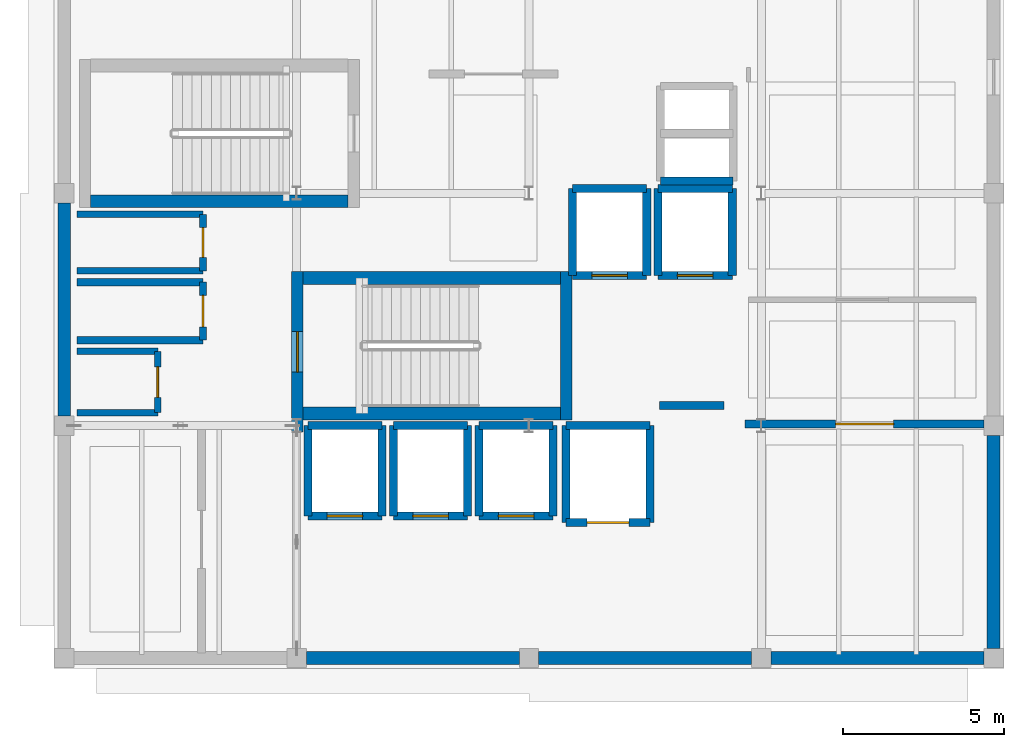
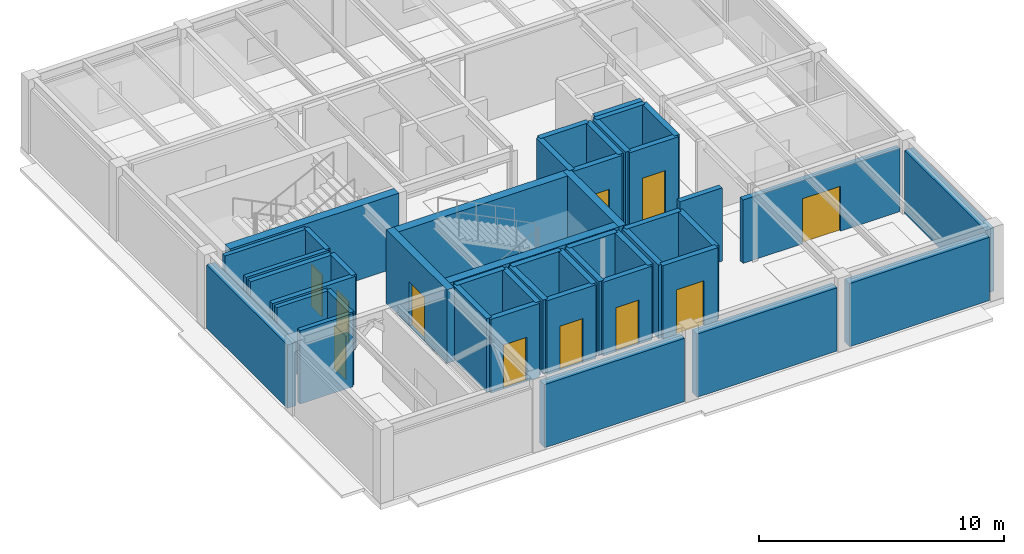
# One storey, part 4 of 8: 46 walls, 11 doors, 11 openings.
"""IFC4 building model written with IfcOpenShell, lengths in metres."""

from ifc_helpers import new_model, si_unit, direction, frame, frame_2d, origin, place, context, subcontext, project, spatial, rectangle, extrude, material, layer, layer_set, type_object, element, fill, save


model = new_model("IFC4")

# Units and contexts
model_context = context("Model", 3, precision=1e-05, world=origin(), true_north=direction((0.0, 1.0)))
body_context = subcontext(model_context, "Body", "Model", "MODEL_VIEW")
ifc_project = project(units=[si_unit("LENGTHUNIT", "METRE"), si_unit("AREAUNIT", "SQUARE_METRE"), si_unit("VOLUMEUNIT", "CUBIC_METRE"), si_unit("PLANEANGLEUNIT", "RADIAN"), si_unit("MASSUNIT", "GRAM", prefix="KILO")], contexts=[model_context])

# Site, building, storey
site_placement = place(None, origin())
site = spatial("IfcSite", under=ifc_project, at=site_placement, CompositionType="ELEMENT")
building_placement = place(site_placement, origin())
building = spatial("IfcBuilding", under=site, at=building_placement, Name="Kandorven Conservatory and Botanical Research Centre", CompositionType="ELEMENT")
storey_placement = place(building_placement, frame((0.0, 0.0, 40.5)))
storey = spatial("IfcBuildingStorey", under=building, at=storey_placement, Name="L10", CompositionType="ELEMENT", Elevation=40.5)

# Walls
ifc_material_1 = material(Name="Concrete C40/50 (M50)", Category="concrete")
ifc_layer_1 = layer(ifc_material_1, 0.39990234375)
ifc_layer_set_1 = layer_set([ifc_layer_1], Name="Concrete C40/50 (M50)")
wall_type_1 = type_object("IfcWallType", Name="Wall_CW-RC-1", PredefinedType="SHEAR", material=ifc_layer_set_1)
for number, where, z_axis, x_axis, name in (
    (1, (13.39990234375, 13.574951171875, 0.0), (0.0, 0.0, 1.0), (1.0, 0.0, 0.0), "Core stair shear wall CW-RC-1 ST-T1 L10 side A"),
    (2, (13.39990234375, 17.77490234375, 0.0), (0.0, 0.0, 1.0), (1.0, 0.0, 0.0), "Core stair shear wall CW-RC-1 ST-T1 L10 side B"),
    (3, (14.800048828125, 20.155029296875, 0.0), (0.0, 0.0, 1.0), (-1.0, 0.0, 0.0), "Core stair shear wall CW-RC-1 ST-T2 L10 side B"),
):
    element("IfcWall", number, at=place(storey_placement, frame(where, z_axis=z_axis, x_axis=x_axis)), inside=storey, type_object=wall_type_1, Name=name, PredefinedType="SHEAR", context=body_context, shape_type="SweptSolid", body=[
        extrude(rectangle(XDim=7.97998046875, YDim=0.39990234375, at=frame_2d((3.989990234375, 0.0))), origin(), (0.0, 0.0, 1.0), 3.679931640625),
    ])

# Wall, opening, door
ifc_material_2 = material(Name="Concrete C40/50 (M50)", Category="concrete")
ifc_layer_2 = layer(ifc_material_2, 0.35009765625)
ifc_layer_set_2 = layer_set([ifc_layer_2], Name="Concrete C40/50 (M50)")
wall_type_2 = type_object("IfcWallType", Name="Wall_CW-RC-2", PredefinedType="SHEAR", material=ifc_layer_set_2)
wall_1_placement = place(storey_placement, frame((13.22509765625, 13.0, 0.0), z_axis=(0.0, 0.0, 1.0), x_axis=(0.0, 1.0, 0.0)))
wall_1 = element("IfcWall", 4, at=wall_1_placement, inside=storey, type_object=wall_type_2, Name="Core stair shear wall CW-RC-2 ST-T1 L10 entry", PredefinedType="SHEAR", context=body_context, shape_type="SweptSolid", body=[
    extrude(rectangle(XDim=4.969970703125, YDim=0.35009765625, at=frame_2d((2.48486328125, 0.0))), origin(), (0.0, 0.0, 1.0), 3.679931640625),
])
opening_1_placement = place(wall_1_placement, frame((1.860107421875, 0.0, 0.0)))
opening_1 = element("IfcOpeningElement", 5, at=opening_1_placement, cuts=wall_1, Name="Opening FD-1", PredefinedType="OPENING", context=body_context, shape_type="SweptSolid", body=[
    extrude(rectangle(XDim=1.25, YDim=2.199951171875, at=frame_2d((0.625, 1.10009765625))), frame((0.0, 0.18505859375, 0.0), z_axis=(0.0, -1.0, 0.0), x_axis=(1.0, 0.0, 0.0)), (0.0, 0.0, 1.0), 0.3701171875),
])
ifc_material_3 = material(Name="Galvanised hollow steel fire door assembly", Category="steel")
door_type_1 = type_object("IfcDoorType", Name="Door_FD-1", OperationType="NOTDEFINED", PredefinedType="DOOR", material=ifc_material_3)
door_1_placement = place(opening_1_placement, origin())
door_1 = element("IfcDoor", 6, at=door_1_placement, inside=storey, type_object=door_type_1, Name="Exit stair fire door FD-1 ST-T1 L10", OperationType="SINGLE_SWING_LEFT", OverallHeight=2.199951171875, OverallWidth=1.25, PredefinedType="DOOR", context=body_context, shape_type="SweptSolid", body=[
    extrude(rectangle(XDim=1.25, YDim=2.199951171875, at=frame_2d((0.625, 1.10009765625))), frame((0.0, 0.02490234375, 0.0), z_axis=(0.0, -1.0, 0.0), x_axis=(1.0, 0.0, 0.0)), (0.0, 0.0, 1.0), 0.050048828125),
])
fill(opening_1, door_1)

# Wall
wall_2_placement = place(storey_placement, frame((21.554931640625, 13.3798828125, 0.0), z_axis=(0.0, 0.0, 1.0), x_axis=(0.0, 1.0, 0.0)))
element("IfcWall", 7, at=wall_2_placement, inside=storey, type_object=wall_type_2, Name="Core stair shear wall CW-RC-2 ST-T1 L10 far", PredefinedType="SHEAR", context=body_context, shape_type="SweptSolid", body=[
    extrude(rectangle(XDim=4.590087890625, YDim=0.35009765625, at=frame_2d((2.294921875, 0.0))), origin(), (0.0, 0.0, 1.0), 3.679931640625),
])

# Wall, opening, door
wall_3_placement = place(storey_placement, frame((21.75, 17.85009765625, 0.0), z_axis=(0.0, 0.0, 1.0), x_axis=(1.0, 0.0, 0.0)))
wall_3 = element("IfcWall", 8, at=wall_3_placement, inside=storey, type_object=wall_type_2, Name="Lift shaft wall FFL-1 L10 S", PredefinedType="SHEAR", context=body_context, shape_type="SweptSolid", body=[
    extrude(rectangle(XDim=2.300048828125, YDim=0.25, at=frame_2d((1.14990234375, 0.0))), origin(), (0.0, 0.0, 1.0), 3.679931640625),
])
opening_2_placement = place(wall_3_placement, frame((0.60009765625, 0.0, 0.0)))
opening_2 = element("IfcOpeningElement", 9, at=opening_2_placement, cuts=wall_3, Name="Opening LD-01", PredefinedType="OPENING", context=body_context, shape_type="SweptSolid", body=[
    extrude(rectangle(XDim=1.10009765625, YDim=2.199951171875, at=frame_2d((0.550048828125, 1.10009765625))), frame((0.0, 0.135009765625, 0.0), z_axis=(0.0, -1.0, 0.0), x_axis=(1.0, 0.0, 0.0)), (0.0, 0.0, 1.0), 0.27001953125),
])
ifc_material_4 = material(Name="Anodised aluminium sliding landing door", Category="aluminium")
door_type_2 = type_object("IfcDoorType", Name="Door_LD-01", OperationType="DOUBLE_DOOR_SLIDING", PredefinedType="DOOR", material=ifc_material_4)
door_2_placement = place(opening_2_placement, origin())
door_2 = element("IfcDoor", 10, at=door_2_placement, inside=storey, type_object=door_type_2, Name="Lift landing sliding door LD-01 (FFL-1 L10)", OperationType="DOUBLE_DOOR_SLIDING", OverallHeight=2.199951171875, OverallWidth=1.10009765625, PredefinedType="DOOR", context=body_context, shape_type="SweptSolid", body=[
    extrude(rectangle(XDim=1.10009765625, YDim=2.199951171875, at=frame_2d((0.550048828125, 1.10009765625))), frame((0.0, 0.02490234375, 0.0), z_axis=(0.0, -1.0, 0.0), x_axis=(1.0, 0.0, 0.0)), (0.0, 0.0, 1.0), 0.050048828125),
])
fill(opening_2, door_2)

# Walls
wall_4_placement = place(storey_placement, frame((21.75, 20.550048828125, 0.0), z_axis=(0.0, 0.0, 1.0), x_axis=(1.0, 0.0, 0.0)))
element("IfcWall", 11, at=wall_4_placement, inside=storey, type_object=wall_type_2, Name="Lift shaft wall FFL-1 L10 N", PredefinedType="SHEAR", context=body_context, shape_type="SweptSolid", body=[
    extrude(rectangle(XDim=2.300048828125, YDim=0.25, at=frame_2d((1.14990234375, 0.0))), origin(), (0.0, 0.0, 1.0), 3.679931640625),
])
for number, where, z_axis, x_axis, name in (
    (12, (21.75, 17.85009765625, 0.0), (0.0, 0.0, 1.0), (0.0, 1.0, 0.0), "Lift shaft wall FFL-1 L10 W"),
    (13, (24.050048828125, 17.85009765625, 0.0), (0.0, 0.0, 1.0), (0.0, 1.0, 0.0), "Lift shaft wall FFL-1 L10 E"),
):
    element("IfcWall", number, at=place(storey_placement, frame(where, z_axis=z_axis, x_axis=x_axis)), inside=storey, type_object=wall_type_2, Name=name, PredefinedType="SHEAR", context=body_context, shape_type="SweptSolid", body=[
        extrude(rectangle(XDim=2.699951171875, YDim=0.25, at=frame_2d((1.35009765625, 0.0))), origin(), (0.0, 0.0, 1.0), 3.679931640625),
    ])

# Wall, opening, door
wall_5_placement = place(storey_placement, frame((24.39990234375, 17.85009765625, 0.0), z_axis=(0.0, 0.0, 1.0), x_axis=(1.0, 0.0, 0.0)))
wall_5 = element("IfcWall", 14, at=wall_5_placement, inside=storey, type_object=wall_type_2, Name="Lift shaft wall FFL-2 L10 S", PredefinedType="SHEAR", context=body_context, shape_type="SweptSolid", body=[
    extrude(rectangle(XDim=2.300048828125, YDim=0.25, at=frame_2d((1.14990234375, 0.0))), origin(), (0.0, 0.0, 1.0), 3.679931640625),
])
opening_3_placement = place(wall_5_placement, frame((0.60009765625, 0.0, 0.0)))
opening_3 = element("IfcOpeningElement", 15, at=opening_3_placement, cuts=wall_5, Name="Opening LD-01", PredefinedType="OPENING", context=body_context, shape_type="SweptSolid", body=[
    extrude(rectangle(XDim=1.10009765625, YDim=2.199951171875, at=frame_2d((0.550048828125, 1.10009765625))), frame((0.0, 0.135009765625, 0.0), z_axis=(0.0, -1.0, 0.0), x_axis=(1.0, 0.0, 0.0)), (0.0, 0.0, 1.0), 0.27001953125),
])
door_3_placement = place(opening_3_placement, origin())
door_3 = element("IfcDoor", 16, at=door_3_placement, inside=storey, type_object=door_type_2, Name="Lift landing sliding door LD-01 (FFL-2 L10)", OperationType="DOUBLE_DOOR_SLIDING", OverallHeight=2.199951171875, OverallWidth=1.10009765625, PredefinedType="DOOR", context=body_context, shape_type="SweptSolid", body=[
    extrude(rectangle(XDim=1.10009765625, YDim=2.199951171875, at=frame_2d((0.550048828125, 1.10009765625))), frame((0.0, 0.02490234375, 0.0), z_axis=(0.0, -1.0, 0.0), x_axis=(1.0, 0.0, 0.0)), (0.0, 0.0, 1.0), 0.050048828125),
])
fill(opening_3, door_3)

# Walls
wall_6_placement = place(storey_placement, frame((24.39990234375, 20.550048828125, 0.0), z_axis=(0.0, 0.0, 1.0), x_axis=(1.0, 0.0, 0.0)))
element("IfcWall", 17, at=wall_6_placement, inside=storey, type_object=wall_type_2, Name="Lift shaft wall FFL-2 L10 N", PredefinedType="SHEAR", context=body_context, shape_type="SweptSolid", body=[
    extrude(rectangle(XDim=2.300048828125, YDim=0.25, at=frame_2d((1.14990234375, 0.0))), origin(), (0.0, 0.0, 1.0), 3.679931640625),
])
for number, where, z_axis, x_axis, name in (
    (18, (24.39990234375, 17.85009765625, 0.0), (0.0, 0.0, 1.0), (0.0, 1.0, 0.0), "Lift shaft wall FFL-2 L10 W"),
    (19, (26.699951171875, 17.85009765625, 0.0), (0.0, 0.0, 1.0), (0.0, 1.0, 0.0), "Lift shaft wall FFL-2 L10 E"),
):
    element("IfcWall", number, at=place(storey_placement, frame(where, z_axis=z_axis, x_axis=x_axis)), inside=storey, type_object=wall_type_2, Name=name, PredefinedType="SHEAR", context=body_context, shape_type="SweptSolid", body=[
        extrude(rectangle(XDim=2.699951171875, YDim=0.25, at=frame_2d((1.35009765625, 0.0))), origin(), (0.0, 0.0, 1.0), 3.679931640625),
    ])

# Wall, opening, door
wall_7_placement = place(storey_placement, frame((13.550048828125, 10.39990234375, 0.0), z_axis=(0.0, 0.0, 1.0), x_axis=(1.0, 0.0, 0.0)))
wall_7 = element("IfcWall", 20, at=wall_7_placement, inside=storey, type_object=wall_type_2, Name="Lift shaft wall PL-1 L10 S", PredefinedType="SHEAR", context=body_context, shape_type="SweptSolid", body=[
    extrude(rectangle(XDim=2.300048828125, YDim=0.25, at=frame_2d((1.14990234375, 0.0))), origin(), (0.0, 0.0, 1.0), 3.679931640625),
])
opening_4_placement = place(wall_7_placement, frame((0.60009765625, 0.0, 0.0)))
opening_4 = element("IfcOpeningElement", 21, at=opening_4_placement, cuts=wall_7, Name="Opening LD-01", PredefinedType="OPENING", context=body_context, shape_type="SweptSolid", body=[
    extrude(rectangle(XDim=1.10009765625, YDim=2.199951171875, at=frame_2d((0.550048828125, 1.10009765625))), frame((0.0, 0.135009765625, 0.0), z_axis=(0.0, -1.0, 0.0), x_axis=(1.0, 0.0, 0.0)), (0.0, 0.0, 1.0), 0.27001953125),
])
door_4_placement = place(opening_4_placement, origin())
door_4 = element("IfcDoor", 22, at=door_4_placement, inside=storey, type_object=door_type_2, Name="Lift landing sliding door LD-01 (PL-1 L10)", OperationType="DOUBLE_DOOR_SLIDING", OverallHeight=2.199951171875, OverallWidth=1.10009765625, PredefinedType="DOOR", context=body_context, shape_type="SweptSolid", body=[
    extrude(rectangle(XDim=1.10009765625, YDim=2.199951171875, at=frame_2d((0.550048828125, 1.10009765625))), frame((0.0, 0.02490234375, 0.0), z_axis=(0.0, -1.0, 0.0), x_axis=(1.0, 0.0, 0.0)), (0.0, 0.0, 1.0), 0.050048828125),
])
fill(opening_4, door_4)

# Walls
wall_8_placement = place(storey_placement, frame((13.550048828125, 13.199951171875, 0.0), z_axis=(0.0, 0.0, 1.0), x_axis=(1.0, 0.0, 0.0)))
element("IfcWall", 23, at=wall_8_placement, inside=storey, type_object=wall_type_2, Name="Lift shaft wall PL-1 L10 N", PredefinedType="SHEAR", context=body_context, shape_type="SweptSolid", body=[
    extrude(rectangle(XDim=2.300048828125, YDim=0.25, at=frame_2d((1.14990234375, 0.0))), origin(), (0.0, 0.0, 1.0), 3.679931640625),
])
for number, where, z_axis, x_axis, name in (
    (24, (13.550048828125, 10.39990234375, 0.0), (0.0, 0.0, 1.0), (0.0, 1.0, 0.0), "Lift shaft wall PL-1 L10 W"),
    (25, (15.85009765625, 10.39990234375, 0.0), (0.0, 0.0, 1.0), (0.0, 1.0, 0.0), "Lift shaft wall PL-1 L10 E"),
):
    element("IfcWall", number, at=place(storey_placement, frame(where, z_axis=z_axis, x_axis=x_axis)), inside=storey, type_object=wall_type_2, Name=name, PredefinedType="SHEAR", context=body_context, shape_type="SweptSolid", body=[
        extrude(rectangle(XDim=2.800048828125, YDim=0.25, at=frame_2d((1.39990234375, 0.0))), origin(), (0.0, 0.0, 1.0), 3.679931640625),
    ])

# Wall, opening, door
wall_9_placement = place(storey_placement, frame((16.199951171875, 10.39990234375, 0.0), z_axis=(0.0, 0.0, 1.0), x_axis=(1.0, 0.0, 0.0)))
wall_9 = element("IfcWall", 26, at=wall_9_placement, inside=storey, type_object=wall_type_2, Name="Lift shaft wall PL-2 L10 S", PredefinedType="SHEAR", context=body_context, shape_type="SweptSolid", body=[
    extrude(rectangle(XDim=2.300048828125, YDim=0.25, at=frame_2d((1.14990234375, 0.0))), origin(), (0.0, 0.0, 1.0), 3.679931640625),
])
opening_5_placement = place(wall_9_placement, frame((0.60009765625, 0.0, 0.0)))
opening_5 = element("IfcOpeningElement", 27, at=opening_5_placement, cuts=wall_9, Name="Opening LD-01", PredefinedType="OPENING", context=body_context, shape_type="SweptSolid", body=[
    extrude(rectangle(XDim=1.10009765625, YDim=2.199951171875, at=frame_2d((0.550048828125, 1.10009765625))), frame((0.0, 0.135009765625, 0.0), z_axis=(0.0, -1.0, 0.0), x_axis=(1.0, 0.0, 0.0)), (0.0, 0.0, 1.0), 0.27001953125),
])
door_5_placement = place(opening_5_placement, origin())
door_5 = element("IfcDoor", 28, at=door_5_placement, inside=storey, type_object=door_type_2, Name="Lift landing sliding door LD-01 (PL-2 L10)", OperationType="DOUBLE_DOOR_SLIDING", OverallHeight=2.199951171875, OverallWidth=1.10009765625, PredefinedType="DOOR", context=body_context, shape_type="SweptSolid", body=[
    extrude(rectangle(XDim=1.10009765625, YDim=2.199951171875, at=frame_2d((0.550048828125, 1.10009765625))), frame((0.0, 0.02490234375, 0.0), z_axis=(0.0, -1.0, 0.0), x_axis=(1.0, 0.0, 0.0)), (0.0, 0.0, 1.0), 0.050048828125),
])
fill(opening_5, door_5)

# Walls
wall_10_placement = place(storey_placement, frame((16.199951171875, 13.199951171875, 0.0), z_axis=(0.0, 0.0, 1.0), x_axis=(1.0, 0.0, 0.0)))
element("IfcWall", 29, at=wall_10_placement, inside=storey, type_object=wall_type_2, Name="Lift shaft wall PL-2 L10 N", PredefinedType="SHEAR", context=body_context, shape_type="SweptSolid", body=[
    extrude(rectangle(XDim=2.300048828125, YDim=0.25, at=frame_2d((1.14990234375, 0.0))), origin(), (0.0, 0.0, 1.0), 3.679931640625),
])
for number, where, z_axis, x_axis, name in (
    (30, (16.199951171875, 10.39990234375, 0.0), (0.0, 0.0, 1.0), (0.0, 1.0, 0.0), "Lift shaft wall PL-2 L10 W"),
    (31, (18.5, 10.39990234375, 0.0), (0.0, 0.0, 1.0), (0.0, 1.0, 0.0), "Lift shaft wall PL-2 L10 E"),
):
    element("IfcWall", number, at=place(storey_placement, frame(where, z_axis=z_axis, x_axis=x_axis)), inside=storey, type_object=wall_type_2, Name=name, PredefinedType="SHEAR", context=body_context, shape_type="SweptSolid", body=[
        extrude(rectangle(XDim=2.800048828125, YDim=0.25, at=frame_2d((1.39990234375, 0.0))), origin(), (0.0, 0.0, 1.0), 3.679931640625),
    ])

# Wall, opening, door
wall_11_placement = place(storey_placement, frame((18.85009765625, 10.39990234375, 0.0), z_axis=(0.0, 0.0, 1.0), x_axis=(1.0, 0.0, 0.0)))
wall_11 = element("IfcWall", 32, at=wall_11_placement, inside=storey, type_object=wall_type_2, Name="Lift shaft wall PL-3 L10 S", PredefinedType="SHEAR", context=body_context, shape_type="SweptSolid", body=[
    extrude(rectangle(XDim=2.2998046875, YDim=0.25, at=frame_2d((1.14990234375, 0.0))), origin(), (0.0, 0.0, 1.0), 3.679931640625),
])
opening_6_placement = place(wall_11_placement, frame((0.60009765625, 0.0, 0.0)))
opening_6 = element("IfcOpeningElement", 33, at=opening_6_placement, cuts=wall_11, Name="Opening LD-01", PredefinedType="OPENING", context=body_context, shape_type="SweptSolid", body=[
    extrude(rectangle(XDim=1.10009765625, YDim=2.199951171875, at=frame_2d((0.550048828125, 1.10009765625))), frame((0.0, 0.135009765625, 0.0), z_axis=(0.0, -1.0, 0.0), x_axis=(1.0, 0.0, 0.0)), (0.0, 0.0, 1.0), 0.27001953125),
])
door_6_placement = place(opening_6_placement, origin())
door_6 = element("IfcDoor", 34, at=door_6_placement, inside=storey, type_object=door_type_2, Name="Lift landing sliding door LD-01 (PL-3 L10)", OperationType="DOUBLE_DOOR_SLIDING", OverallHeight=2.199951171875, OverallWidth=1.10009765625, PredefinedType="DOOR", context=body_context, shape_type="SweptSolid", body=[
    extrude(rectangle(XDim=1.10009765625, YDim=2.199951171875, at=frame_2d((0.550048828125, 1.10009765625))), frame((0.0, 0.02490234375, 0.0), z_axis=(0.0, -1.0, 0.0), x_axis=(1.0, 0.0, 0.0)), (0.0, 0.0, 1.0), 0.050048828125),
])
fill(opening_6, door_6)

# Walls
wall_12_placement = place(storey_placement, frame((18.85009765625, 13.199951171875, 0.0), z_axis=(0.0, 0.0, 1.0), x_axis=(1.0, 0.0, 0.0)))
element("IfcWall", 35, at=wall_12_placement, inside=storey, type_object=wall_type_2, Name="Lift shaft wall PL-3 L10 N", PredefinedType="SHEAR", context=body_context, shape_type="SweptSolid", body=[
    extrude(rectangle(XDim=2.2998046875, YDim=0.25, at=frame_2d((1.14990234375, 0.0))), origin(), (0.0, 0.0, 1.0), 3.679931640625),
])
for number, where, z_axis, x_axis, name in (
    (36, (18.85009765625, 10.39990234375, 0.0), (0.0, 0.0, 1.0), (0.0, 1.0, 0.0), "Lift shaft wall PL-3 L10 W"),
    (37, (21.14990234375, 10.39990234375, 0.0), (0.0, 0.0, 1.0), (0.0, 1.0, 0.0), "Lift shaft wall PL-3 L10 E"),
):
    element("IfcWall", number, at=place(storey_placement, frame(where, z_axis=z_axis, x_axis=x_axis)), inside=storey, type_object=wall_type_2, Name=name, PredefinedType="SHEAR", context=body_context, shape_type="SweptSolid", body=[
        extrude(rectangle(XDim=2.800048828125, YDim=0.25, at=frame_2d((1.39990234375, 0.0))), origin(), (0.0, 0.0, 1.0), 3.679931640625),
    ])

# Wall, opening, door
wall_13_placement = place(storey_placement, frame((21.550048828125, 10.199951171875, 0.0), z_axis=(0.0, 0.0, 1.0), x_axis=(1.0, 0.0, 0.0)))
wall_13 = element("IfcWall", 38, at=wall_13_placement, inside=storey, type_object=wall_type_2, Name="Lift shaft wall GL-1 L10 S", PredefinedType="SHEAR", context=body_context, shape_type="SweptSolid", body=[
    extrude(rectangle(XDim=2.599853515625, YDim=0.25, at=frame_2d((1.2998046875, 0.0))), origin(), (0.0, 0.0, 1.0), 3.679931640625),
])
opening_7_placement = place(wall_13_placement, frame((0.64990234375, 0.0, 0.0)))
opening_7 = element("IfcOpeningElement", 39, at=opening_7_placement, cuts=wall_13, Name="Opening LD-02", PredefinedType="OPENING", context=body_context, shape_type="SweptSolid", body=[
    extrude(rectangle(XDim=1.300048828125, YDim=2.25, at=frame_2d((0.64990234375, 1.125))), frame((0.0, 0.135009765625, 0.0), z_axis=(0.0, -1.0, 0.0), x_axis=(1.0, 0.0, 0.0)), (0.0, 0.0, 1.0), 0.27001953125),
])
ifc_material_5 = material(Name="Anodised aluminium sliding landing door", Category="aluminium")
door_type_3 = type_object("IfcDoorType", Name="Door_LD-02", OperationType="DOUBLE_DOOR_SLIDING", PredefinedType="DOOR", material=ifc_material_5)
door_7_placement = place(opening_7_placement, origin())
door_7 = element("IfcDoor", 40, at=door_7_placement, inside=storey, type_object=door_type_3, Name="Lift landing sliding door LD-02 (GL-1 L10)", OperationType="DOUBLE_DOOR_SLIDING", OverallHeight=2.25, OverallWidth=1.300048828125, PredefinedType="DOOR", context=body_context, shape_type="SweptSolid", body=[
    extrude(rectangle(XDim=1.300048828125, YDim=2.25, at=frame_2d((0.64990234375, 1.125))), frame((0.0, 0.02490234375, 0.0), z_axis=(0.0, -1.0, 0.0), x_axis=(1.0, 0.0, 0.0)), (0.0, 0.0, 1.0), 0.050048828125),
])
fill(opening_7, door_7)

# Walls
wall_14_placement = place(storey_placement, frame((21.550048828125, 13.199951171875, 0.0), z_axis=(0.0, 0.0, 1.0), x_axis=(1.0, 0.0, 0.0)))
element("IfcWall", 41, at=wall_14_placement, inside=storey, type_object=wall_type_2, Name="Lift shaft wall GL-1 L10 N", PredefinedType="SHEAR", context=body_context, shape_type="SweptSolid", body=[
    extrude(rectangle(XDim=2.599853515625, YDim=0.25, at=frame_2d((1.2998046875, 0.0))), origin(), (0.0, 0.0, 1.0), 3.679931640625),
])
for number, where, z_axis, x_axis, name in (
    (42, (21.550048828125, 10.199951171875, 0.0), (0.0, 0.0, 1.0), (0.0, 1.0, 0.0), "Lift shaft wall GL-1 L10 W"),
    (43, (24.14990234375, 10.199951171875, 0.0), (0.0, 0.0, 1.0), (0.0, 1.0, 0.0), "Lift shaft wall GL-1 L10 E"),
):
    element("IfcWall", number, at=place(storey_placement, frame(where, z_axis=z_axis, x_axis=x_axis)), inside=storey, type_object=wall_type_2, Name=name, PredefinedType="SHEAR", context=body_context, shape_type="SweptSolid", body=[
        extrude(rectangle(XDim=3.0, YDim=0.25, at=frame_2d((1.5, 0.0))), origin(), (0.0, 0.0, 1.0), 3.679931640625),
    ])
wall_15_placement = place(storey_placement, frame((24.47998046875, 20.780029296875, 0.0), z_axis=(0.0, 0.0, 1.0), x_axis=(1.0, 0.0, 0.0)))
element("IfcWall", 44, at=wall_15_placement, inside=storey, type_object=wall_type_2, Name="Core MEP riser shaft wall CW-RC-2 L10 S", PredefinedType="SHEAR", context=body_context, shape_type="SweptSolid", body=[
    extrude(rectangle(XDim=2.239990234375, YDim=0.239990234375, at=frame_2d((1.1201171875, 0.0))), origin(), (0.0, 0.0, 1.0), 3.679931640625),
])
ifc_material_6 = material(Name="Concrete C40/50 (M50)", Category="concrete")
ifc_layer_3 = layer(ifc_material_6, 0.39990234375)
ifc_layer_set_3 = layer_set([ifc_layer_3], Name="Concrete C40/50 (M50)")
wall_type_3 = type_object("IfcWallType", Name="Wall_EW-HB-01", PredefinedType="STANDARD", material=ifc_layer_set_3)
for number, where, z_axis, x_axis, name in (
    (45, (13.5, 6.0, 0.0), (0.0, 0.0, 1.0), (1.0, 0.0, 0.0), "Tower concrete facade wall EW-HB-01 S L10"),
    (46, (20.699951171875, 6.0, 0.0), (0.0, 0.0, 1.0), (1.0, 0.0, 0.0), "Tower concrete facade wall EW-HB-01 S L10"),
    (47, (27.89990234375, 6.0, 0.0), (0.0, 0.0, 1.0), (1.0, 0.0, 0.0), "Tower concrete facade wall EW-HB-01 S L10"),
    (48, (6.0, 13.5, 0.0), (0.0, 0.0, 1.0), (0.0, 1.0, 0.0), "Tower concrete facade wall EW-HB-01 W L10"),
):
    element("IfcWall", number, at=place(storey_placement, frame(where, z_axis=z_axis, x_axis=x_axis)), inside=storey, type_object=wall_type_3, Name=name, PredefinedType="STANDARD", context=body_context, shape_type="SweptSolid", body=[
        extrude(rectangle(XDim=6.60009765625, YDim=0.39990234375, at=frame_2d((3.300048828125, 0.0))), origin(), (0.0, 0.0, 1.0), 3.159912109375),
    ])
wall_16_placement = place(storey_placement, frame((34.800048828125, 6.300048828125, 0.0), z_axis=(0.0, 0.0, 1.0), x_axis=(0.0, 1.0, 0.0)))
element("IfcWall", 49, at=wall_16_placement, inside=storey, type_object=wall_type_3, Name="Tower concrete facade wall EW-HB-01 E L10", PredefinedType="STANDARD", context=body_context, shape_type="SweptSolid", body=[
    extrude(rectangle(XDim=6.599853515625, YDim=0.39990234375, at=frame_2d((3.2998046875, 0.0))), origin(), (0.0, 0.0, 1.0), 3.159912109375),
])
ifc_material_7 = material(Name="Concrete C32/40 (M40)", Category="concrete")
ifc_layer_4 = layer(ifc_material_7, 0.25)
ifc_layer_set_4 = layer_set([ifc_layer_4], Name="Concrete C32/40 (M40)")
wall_type_4 = type_object("IfcWallType", Name="Wall_IW-FR-1", PredefinedType="SOLIDWALL", material=ifc_layer_set_4)
wall_17_placement = place(storey_placement, frame((24.449951171875, 13.820068359375, 0.0), z_axis=(0.0, 0.0, 1.0), x_axis=(1.0, 0.0, 0.0)))
element("IfcWall", 50, at=wall_17_placement, inside=storey, type_object=wall_type_4, Name="Interior fire partition wall IW-FR-1 (Firefighting Lift Lobby L10)", PredefinedType="SOLIDWALL", context=body_context, shape_type="SweptSolid", body=[
    extrude(rectangle(XDim=2.0, YDim=0.25, at=frame_2d((1.0, 0.0))), origin(), (0.0, 0.0, 1.0), 3.659912109375),
])

# Wall, opening, door
wall_18_placement = place(storey_placement, frame((27.10009765625, 13.25, 0.0), z_axis=(0.0, 0.0, 1.0), x_axis=(1.0, 0.0, 0.0)))
wall_18 = element("IfcWall", 51, at=wall_18_placement, inside=storey, type_object=wall_type_4, Name="Interior fire partition wall IW-FR-1 (Herbarium Vascular Specimen Collection Vault L10)", PredefinedType="SOLIDWALL", context=body_context, shape_type="SweptSolid", body=[
    extrude(rectangle(XDim=7.39990234375, YDim=0.25, at=frame_2d((3.699951171875, 0.0))), origin(), (0.0, 0.0, 1.0), 3.169921875),
])
opening_8_placement = place(wall_18_placement, frame((2.800048828125, 0.0, 0.0)))
opening_8 = element("IfcOpeningElement", 52, at=opening_8_placement, cuts=wall_18, Name="Opening FD-4", PredefinedType="OPENING", context=body_context, shape_type="SweptSolid", body=[
    extrude(rectangle(XDim=1.800048828125, YDim=2.25, at=frame_2d((0.89990234375, 1.125))), frame((0.0, 0.135009765625, 0.0), z_axis=(0.0, -1.0, 0.0), x_axis=(1.0, 0.0, 0.0)), (0.0, 0.0, 1.0), 0.27001953125),
])
ifc_material_8 = material(Name="Galvanised hollow steel fire door assembly", Category="steel")
door_type_4 = type_object("IfcDoorType", Name="Door_FD-4", OperationType="NOTDEFINED", PredefinedType="DOOR", material=ifc_material_8)
door_8_placement = place(opening_8_placement, origin())
door_8 = element("IfcDoor", 53, at=door_8_placement, inside=storey, type_object=door_type_4, Name="Interior door FD-4 to Herbarium Vascular Specimen Collection Vault L10", OperationType="DOUBLE_DOOR_SINGLE_SWING", OverallHeight=2.25, OverallWidth=1.800048828125, PredefinedType="DOOR", context=body_context, shape_type="SweptSolid", body=[
    extrude(rectangle(XDim=1.800048828125, YDim=2.25, at=frame_2d((0.89990234375, 1.125))), frame((0.0, 0.02490234375, 0.0), z_axis=(0.0, -1.0, 0.0), x_axis=(1.0, 0.0, 0.0)), (0.0, 0.0, 1.0), 0.050048828125),
])
fill(opening_8, door_8)

ifc_material_9 = material(Name="Autoclaved aerated concrete blockwork masonry", Category="masonry")
ifc_layer_5 = layer(ifc_material_9, 0.22998046875)
ifc_layer_set_5 = layer_set([ifc_layer_5], Name="Autoclaved aerated concrete blockwork masonry")
wall_type_5 = type_object("IfcWallType", Name="Wall_PW-PL-1", PredefinedType="PLUMBINGWALL", material=ifc_layer_set_5)
wall_19_placement = place(storey_placement, frame((10.300048828125, 15.85009765625, 0.0), z_axis=(0.0, 0.0, 1.0), x_axis=(0.0, 1.0, 0.0)))
wall_19 = element("IfcWall", 54, at=wall_19_placement, inside=storey, type_object=wall_type_5, Name="Interior partition wall PW-PL-1 (Staff Female WC L10)", PredefinedType="PLUMBINGWALL", context=body_context, shape_type="SweptSolid", body=[
    extrude(rectangle(XDim=1.7998046875, YDim=0.22998046875, at=frame_2d((0.89990234375, 0.0))), origin(), (0.0, 0.0, 1.0), 3.659912109375),
])
opening_9_placement = place(wall_19_placement, frame((0.409912109375, 0.0, 0.0)))
opening_9 = element("IfcOpeningElement", 55, at=opening_9_placement, cuts=wall_19, Name="Opening D-12", PredefinedType="OPENING", context=body_context, shape_type="SweptSolid", body=[
    extrude(rectangle(XDim=0.97998046875, YDim=2.10009765625, at=frame_2d((0.489990234375, 1.050048828125))), frame((0.0, 0.125, 0.0), z_axis=(0.0, -1.0, 0.0), x_axis=(1.0, 0.0, 0.0)), (0.0, 0.0, 1.0), 0.25),
])
ifc_material_10 = material(Name="Solid core acoustic teak-veneered timber leaf", Category="wood")
door_type_5 = type_object("IfcDoorType", Name="Door_D-12", OperationType="NOTDEFINED", PredefinedType="DOOR", material=ifc_material_10)
door_9_placement = place(opening_9_placement, origin())
door_9 = element("IfcDoor", 56, at=door_9_placement, inside=storey, type_object=door_type_5, Name="Interior door D-12 to Staff Female WC L10", OperationType="SINGLE_SWING_RIGHT", OverallHeight=2.10009765625, OverallWidth=0.97998046875, PredefinedType="DOOR", context=body_context, shape_type="SweptSolid", body=[
    extrude(rectangle(XDim=0.97998046875, YDim=2.10009765625, at=frame_2d((0.489990234375, 1.050048828125))), frame((0.0, 0.02490234375, 0.0), z_axis=(0.0, -1.0, 0.0), x_axis=(1.0, 0.0, 0.0)), (0.0, 0.0, 1.0), 0.050048828125),
])
fill(opening_9, door_9)

# Walls
for number, where, z_axis, x_axis, name in (
    (57, (6.39990234375, 15.85009765625, 0.0), (0.0, 0.0, 1.0), (1.0, 0.0, 0.0), "Sanitary enclosure wall PW-PL-1 (Staff Female WC L10 S)"),
    (58, (6.39990234375, 17.64990234375, 0.0), (0.0, 0.0, 1.0), (1.0, 0.0, 0.0), "Sanitary enclosure wall PW-PL-1 (Staff Female WC L10 N)"),
):
    element("IfcWall", number, at=place(storey_placement, frame(where, z_axis=z_axis, x_axis=x_axis)), inside=storey, type_object=wall_type_5, Name=name, PredefinedType="PLUMBINGWALL", context=body_context, shape_type="SweptSolid", body=[
        extrude(rectangle(XDim=3.900146484375, YDim=0.22998046875, at=frame_2d((1.9501953125, 0.0))), origin(), (0.0, 0.0, 1.0), 3.659912109375),
    ])

# Wall, opening, door
ifc_material_11 = material(Name="Autoclaved aerated concrete blockwork masonry", Category="masonry")
ifc_layer_6 = layer(ifc_material_11, 0.205078125)
ifc_layer_set_6 = layer_set([ifc_layer_6], Name="Autoclaved aerated concrete blockwork masonry")
wall_type_6 = type_object("IfcWallType", Name="Wall_PW-PL-2", PredefinedType="PLUMBINGWALL", material=ifc_layer_set_6)
wall_20_placement = place(storey_placement, frame((8.89990234375, 13.60009765625, 0.0), z_axis=(0.0, 0.0, 1.0), x_axis=(0.0, 1.0, 0.0)))
wall_20 = element("IfcWall", 59, at=wall_20_placement, inside=storey, type_object=wall_type_6, Name="Interior partition wall PW-PL-2 (Accessible WC L10)", PredefinedType="PLUMBINGWALL", context=body_context, shape_type="SweptSolid", body=[
    extrude(rectangle(XDim=1.89990234375, YDim=0.205078125, at=frame_2d((0.949951171875, 0.0))), origin(), (0.0, 0.0, 1.0), 3.659912109375),
])
opening_10_placement = place(wall_20_placement, frame((0.47509765625, 0.0, 0.0)))
opening_10 = element("IfcOpeningElement", 60, at=opening_10_placement, cuts=wall_20, Name="Opening D-01", PredefinedType="OPENING", context=body_context, shape_type="SweptSolid", body=[
    extrude(rectangle(XDim=0.949951171875, YDim=2.14990234375, at=frame_2d((0.47509765625, 1.074951171875))), frame((0.0, 0.112548828125, 0.0), z_axis=(0.0, -1.0, 0.0), x_axis=(1.0, 0.0, 0.0)), (0.0, 0.0, 1.0), 0.22509765625),
])
ifc_material_12 = material(Name="Solid core acoustic teak-veneered timber leaf", Category="wood")
door_type_6 = type_object("IfcDoorType", Name="Door_D-01", OperationType="NOTDEFINED", PredefinedType="DOOR", material=ifc_material_12)
door_10_placement = place(opening_10_placement, frame((0.949951171875, 0.0, 0.0), z_axis=(0.0, 0.0, 1.0), x_axis=(-1.0, 0.0, 0.0)))
door_10 = element("IfcDoor", 61, at=door_10_placement, inside=storey, type_object=door_type_6, Name="Interior door D-01 to Accessible WC L10", OperationType="SINGLE_SWING_LEFT", OverallHeight=2.14990234375, OverallWidth=0.949951171875, PredefinedType="DOOR", context=body_context, shape_type="SweptSolid", body=[
    extrude(rectangle(XDim=0.949951171875, YDim=2.14990234375, at=frame_2d((0.47509765625, 1.074951171875))), frame((0.0, 0.02490234375, 0.0), z_axis=(0.0, -1.0, 0.0), x_axis=(1.0, 0.0, 0.0)), (0.0, 0.0, 1.0), 0.050048828125),
])
fill(opening_10, door_10)

# Walls
for number, where, z_axis, x_axis, name in (
    (62, (6.39990234375, 13.60009765625, 0.0), (0.0, 0.0, 1.0), (1.0, 0.0, 0.0), "Sanitary enclosure wall PW-PL-2 (Accessible WC L10 S)"),
    (63, (6.39990234375, 15.5, 0.0), (0.0, 0.0, 1.0), (1.0, 0.0, 0.0), "Sanitary enclosure wall PW-PL-2 (Accessible WC L10 N)"),
):
    element("IfcWall", number, at=place(storey_placement, frame(where, z_axis=z_axis, x_axis=x_axis)), inside=storey, type_object=wall_type_6, Name=name, PredefinedType="PLUMBINGWALL", context=body_context, shape_type="SweptSolid", body=[
        extrude(rectangle(XDim=2.5, YDim=0.205078125, at=frame_2d((1.25, 0.0))), origin(), (0.0, 0.0, 1.0), 3.659912109375),
    ])

# Wall, opening, door
wall_21_placement = place(storey_placement, frame((10.300048828125, 18.0, 0.0), z_axis=(0.0, 0.0, 1.0), x_axis=(0.0, 1.0, 0.0)))
wall_21 = element("IfcWall", 64, at=wall_21_placement, inside=storey, type_object=wall_type_6, Name="Interior partition wall PW-PL-2 (Staff Male WC L10)", PredefinedType="PLUMBINGWALL", context=body_context, shape_type="SweptSolid", body=[
    extrude(rectangle(XDim=1.75, YDim=0.205078125, at=frame_2d((0.875, 0.0))), origin(), (0.0, 0.0, 1.0), 3.659912109375),
])
opening_11_placement = place(wall_21_placement, frame((0.4150390625, 0.0, 0.0)))
opening_11 = element("IfcOpeningElement", 65, at=opening_11_placement, cuts=wall_21, Name="Opening D-11", PredefinedType="OPENING", context=body_context, shape_type="SweptSolid", body=[
    extrude(rectangle(XDim=0.919921875, YDim=2.10009765625, at=frame_2d((0.4599609375, 1.050048828125))), frame((0.0, 0.112548828125, 0.0), z_axis=(0.0, -1.0, 0.0), x_axis=(1.0, 0.0, 0.0)), (0.0, 0.0, 1.0), 0.22509765625),
])
ifc_material_13 = material(Name="Solid core acoustic teak-veneered timber leaf", Category="wood")
door_type_7 = type_object("IfcDoorType", Name="Door_D-11", OperationType="NOTDEFINED", PredefinedType="DOOR", material=ifc_material_13)
door_11_placement = place(opening_11_placement, origin())
door_11 = element("IfcDoor", 66, at=door_11_placement, inside=storey, type_object=door_type_7, Name="Interior door D-11 to Staff Male WC L10", OperationType="SINGLE_SWING_LEFT", OverallHeight=2.10009765625, OverallWidth=0.919921875, PredefinedType="DOOR", context=body_context, shape_type="SweptSolid", body=[
    extrude(rectangle(XDim=0.919921875, YDim=2.10009765625, at=frame_2d((0.4599609375, 1.050048828125))), frame((0.0, 0.02490234375, 0.0), z_axis=(0.0, -1.0, 0.0), x_axis=(1.0, 0.0, 0.0)), (0.0, 0.0, 1.0), 0.050048828125),
])
fill(opening_11, door_11)

# Walls
for number, where, z_axis, x_axis, name in (
    (67, (6.39990234375, 18.0, 0.0), (0.0, 0.0, 1.0), (1.0, 0.0, 0.0), "Sanitary enclosure wall PW-PL-2 (Staff Male WC L10 S)"),
    (68, (6.39990234375, 19.75, 0.0), (0.0, 0.0, 1.0), (1.0, 0.0, 0.0), "Sanitary enclosure wall PW-PL-2 (Staff Male WC L10 N)"),
):
    element("IfcWall", number, at=place(storey_placement, frame(where, z_axis=z_axis, x_axis=x_axis)), inside=storey, type_object=wall_type_6, Name=name, PredefinedType="PLUMBINGWALL", context=body_context, shape_type="SweptSolid", body=[
        extrude(rectangle(XDim=3.900146484375, YDim=0.205078125, at=frame_2d((1.9501953125, 0.0))), origin(), (0.0, 0.0, 1.0), 3.659912109375),
    ])

save(model, "model.ifc")
